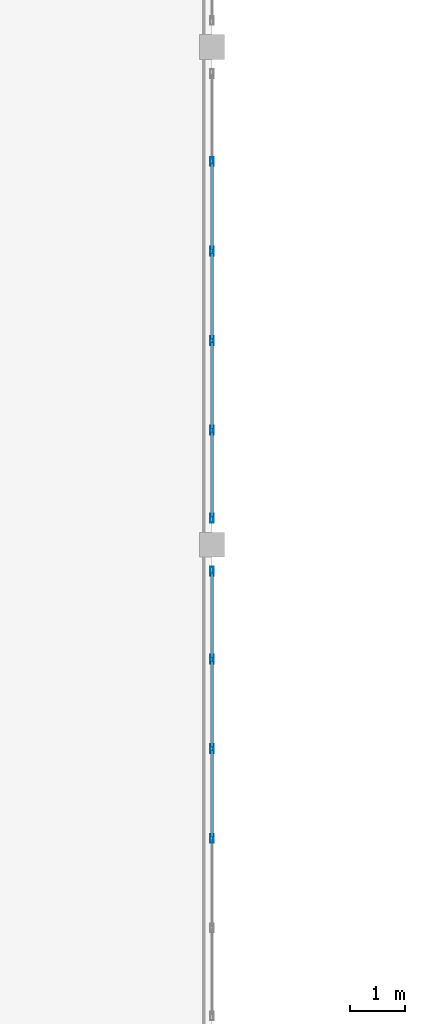
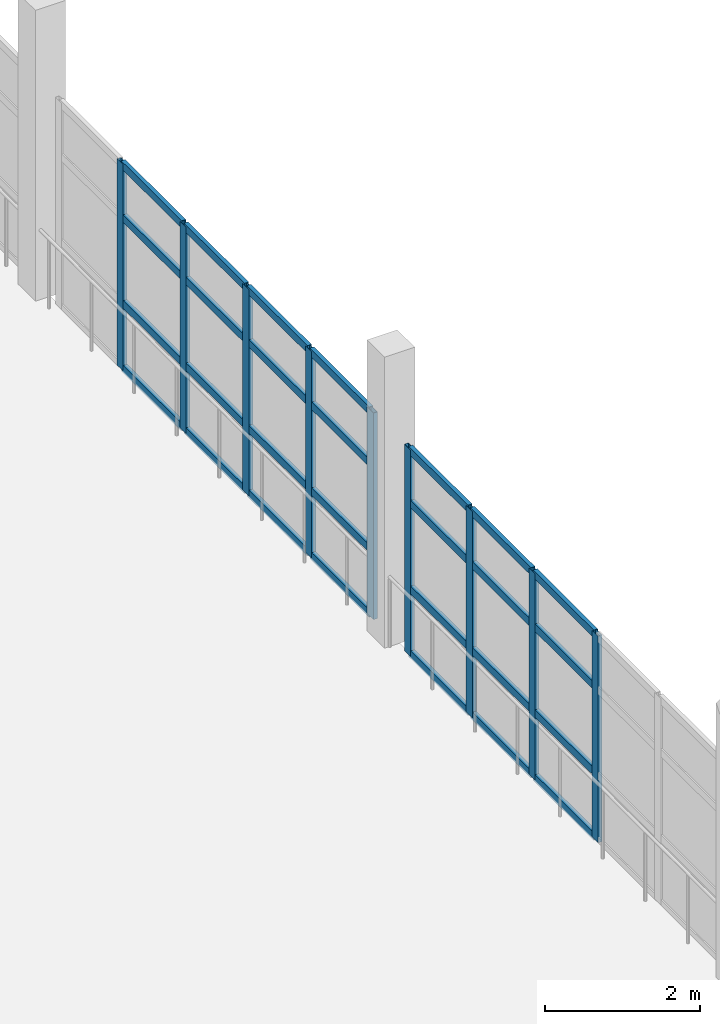
# One storey, part 14 of 80: 37 members, 2 elements without a shape of their own.
"""IFC4 building model written with IfcOpenShell, lengths in metres."""

from ifc_helpers import new_model, si_unit, direction, frame, origin, origin_2d, place, context, subcontext, project, spatial, hollow_rectangle, extrude, material, layer, layer_set, material_profile, profile_set, type_object, element, aggregate, save


model = new_model("IFC4")

# Units and contexts
model_context = context("Model", 3, precision=1e-05, world=origin(), true_north=direction((0.0, 1.0)))
body_context = subcontext(model_context, "Body", "Model", "MODEL_VIEW")
ifc_project = project(units=[si_unit("LENGTHUNIT", "METRE"), si_unit("AREAUNIT", "SQUARE_METRE"), si_unit("VOLUMEUNIT", "CUBIC_METRE"), si_unit("PLANEANGLEUNIT", "RADIAN"), si_unit("MASSUNIT", "GRAM", prefix="KILO")], contexts=[model_context])

# Site, building, storey
site_placement = place(None, origin())
site = spatial("IfcSite", under=ifc_project, at=site_placement, CompositionType="ELEMENT")
building_placement = place(site_placement, origin())
building = spatial("IfcBuilding", under=site, at=building_placement, Name="Ornek Quay Market", CompositionType="ELEMENT")
storey_placement = place(building_placement, frame((0.0, 0.0, 8.39990234375)))
storey = spatial("IfcBuildingStorey", under=building, at=storey_placement, Name="L02", CompositionType="ELEMENT", Elevation=8.39990234375)

# Curtain wall, members
ifc_material_1 = material(Name="Anodised bronze aluminium and triple low-e glass", Category="aluminium")
ifc_layer = layer(ifc_material_1, 0.139892578125, Name="Anodised bronze aluminium and triple low-e glass", Category="aluminium")
ifc_layer_set = layer_set([ifc_layer], Name="Anodised bronze aluminium and triple low-e glass")
curtain_wall_type = type_object("IfcCurtainWallType", Name="CW-GALLERY-INT", PredefinedType="USERDEFINED", material=ifc_layer_set)
curtain_wall_1_placement = place(storey_placement, origin())
curtain_wall_1 = element("IfcCurtainWall", 1, at=curtain_wall_1_placement, inside=storey, type_object=curtain_wall_type, Name="Curtain wall CW-110", ObjectType="CURTAIN WALL", PredefinedType="USERDEFINED")
ifc_material_2 = material(Name="Anodised aluminium 6063-T6", Category="aluminium")
ifc_material_profile_1 = material_profile(ifc_material_2, hollow_rectangle(XDim=0.06005859375, YDim=0.159912109375, WallThickness=0.00390625, at=origin_2d()), Name="CW-MUL-60x160", Category="aluminium")
ifc_profile_set_1 = profile_set([ifc_material_profile_1], Name="Anodised aluminium 6063-T6")
member_type_1 = type_object("IfcMemberType", Name="CW-MUL-60x160", PredefinedType="MULLION", material=ifc_profile_set_1)
member_1_placement = place(storey_placement, frame((72.0, 41.68994140625, 0.0), z_axis=(0.0, 0.0, 1.0), x_axis=(-1.0, 0.0, 0.0)))
member_1 = element("IfcMember", 2, at=member_1_placement, type_object=member_type_1, Name="CW-110 mullion 3", PredefinedType="MULLION", context=body_context, shape_type="SweptSolid", body=[
    extrude(hollow_rectangle(XDim=0.06005859375, YDim=0.159912109375, WallThickness=0.00390625, at=origin_2d()), origin(), (0.0, 0.0, 1.0), 3.25),
])
member_2_placement = place(storey_placement, frame((72.0, 43.31005859375, 0.0), z_axis=(0.0, 0.0, 1.0), x_axis=(-1.0, 0.0, 0.0)))
member_2 = element("IfcMember", 3, at=member_2_placement, type_object=member_type_1, Name="CW-110 mullion 4", PredefinedType="MULLION", context=body_context, shape_type="SweptSolid", body=[
    extrude(hollow_rectangle(XDim=0.06005859375, YDim=0.159912109375, WallThickness=0.00390625, at=origin_2d()), origin(), (0.0, 0.0, 1.0), 3.25),
])
member_3_placement = place(storey_placement, frame((72.0, 44.929931640625, 0.0), z_axis=(0.0, 0.0, 1.0), x_axis=(-1.0, 0.0, 0.0)))
member_3 = element("IfcMember", 4, at=member_3_placement, type_object=member_type_1, Name="CW-110 mullion 5", PredefinedType="MULLION", context=body_context, shape_type="SweptSolid", body=[
    extrude(hollow_rectangle(XDim=0.06005859375, YDim=0.159912109375, WallThickness=0.00390625, at=origin_2d()), origin(), (0.0, 0.0, 1.0), 3.25),
])
member_4_placement = place(storey_placement, frame((72.0, 46.52001953125, 0.0), z_axis=(0.0, 0.0, 1.0), x_axis=(-1.0, 0.0, 0.0)))
member_4 = element("IfcMember", 5, at=member_4_placement, type_object=member_type_1, Name="CW-110 mullion 6", PredefinedType="MULLION", context=body_context, shape_type="SweptSolid", body=[
    extrude(hollow_rectangle(XDim=0.06005859375, YDim=0.159912109375, WallThickness=0.00390625, at=origin_2d()), origin(), (0.0, 0.0, 1.0), 3.25),
])

curtain_wall_2_placement = place(storey_placement, origin())
curtain_wall_2 = element("IfcCurtainWall", 6, at=curtain_wall_2_placement, inside=storey, type_object=curtain_wall_type, Name="Curtain wall CW-111", ObjectType="CURTAIN WALL", PredefinedType="USERDEFINED")
member_5_placement = place(storey_placement, frame((72.0, 47.47998046875, 0.0), z_axis=(0.0, 0.0, 1.0), x_axis=(-1.0, 0.0, 0.0)))
member_5 = element("IfcMember", 7, at=member_5_placement, type_object=member_type_1, Name="CW-111 mullion 1", PredefinedType="MULLION", context=body_context, shape_type="SweptSolid", body=[
    extrude(hollow_rectangle(XDim=0.06005859375, YDim=0.159912109375, WallThickness=0.00390625, at=origin_2d()), origin(), (0.0, 0.0, 1.0), 3.25),
])
member_6_placement = place(storey_placement, frame((72.0, 49.070068359375, 0.0), z_axis=(0.0, 0.0, 1.0), x_axis=(-1.0, 0.0, 0.0)))
member_6 = element("IfcMember", 8, at=member_6_placement, type_object=member_type_1, Name="CW-111 mullion 2", PredefinedType="MULLION", context=body_context, shape_type="SweptSolid", body=[
    extrude(hollow_rectangle(XDim=0.06005859375, YDim=0.159912109375, WallThickness=0.00390625, at=origin_2d()), origin(), (0.0, 0.0, 1.0), 3.25),
])
member_7_placement = place(storey_placement, frame((72.0, 50.68994140625, 0.0), z_axis=(0.0, 0.0, 1.0), x_axis=(-1.0, 0.0, 0.0)))
member_7 = element("IfcMember", 9, at=member_7_placement, type_object=member_type_1, Name="CW-111 mullion 3", PredefinedType="MULLION", context=body_context, shape_type="SweptSolid", body=[
    extrude(hollow_rectangle(XDim=0.06005859375, YDim=0.159912109375, WallThickness=0.00390625, at=origin_2d()), origin(), (0.0, 0.0, 1.0), 3.25),
])
member_8_placement = place(storey_placement, frame((72.0, 52.31005859375, 0.0), z_axis=(0.0, 0.0, 1.0), x_axis=(-1.0, 0.0, 0.0)))
member_8 = element("IfcMember", 10, at=member_8_placement, type_object=member_type_1, Name="CW-111 mullion 4", PredefinedType="MULLION", context=body_context, shape_type="SweptSolid", body=[
    extrude(hollow_rectangle(XDim=0.06005859375, YDim=0.159912109375, WallThickness=0.00390625, at=origin_2d()), origin(), (0.0, 0.0, 1.0), 3.25),
])
member_9_placement = place(storey_placement, frame((72.0, 53.929931640625, 0.0), z_axis=(0.0, 0.0, 1.0), x_axis=(-1.0, 0.0, 0.0)))
member_9 = element("IfcMember", 11, at=member_9_placement, type_object=member_type_1, Name="CW-111 mullion 5", PredefinedType="MULLION", context=body_context, shape_type="SweptSolid", body=[
    extrude(hollow_rectangle(XDim=0.06005859375, YDim=0.159912109375, WallThickness=0.00390625, at=origin_2d()), origin(), (0.0, 0.0, 1.0), 3.25),
])

# Member
ifc_material_profile_2 = material_profile(ifc_material_2, hollow_rectangle(XDim=0.06005859375, YDim=0.1201171875, WallThickness=0.00390625, at=origin_2d()), Name="CW-TRN-60x120", Category="aluminium")
ifc_profile_set_2 = profile_set([ifc_material_profile_2], Name="Anodised aluminium 6063-T6")
member_type_2 = type_object("IfcMemberType", Name="CW-TRN-60x120", PredefinedType="USERDEFINED", material=ifc_profile_set_2)
member_10_placement = place(storey_placement, frame((72.0, 41.719970703125, 0.030029296875), z_axis=(0.0, 1.0, 0.0), x_axis=(-1.0, 0.0, 0.0)))
member_10 = element("IfcMember", 12, at=member_10_placement, type_object=member_type_2, Name="CW-110 transom 3.1", ObjectType="TRANSOM", PredefinedType="USERDEFINED", context=body_context, shape_type="SweptSolid", body=[
    extrude(hollow_rectangle(XDim=0.06005859375, YDim=0.1201171875, WallThickness=0.00390625, at=origin_2d()), origin(), (0.0, 0.0, 1.0), 1.56005859375),
])

member_11_placement = place(storey_placement, frame((72.0, 41.719970703125, 1.050048828125), z_axis=(0.0, 1.0, 0.0), x_axis=(-1.0, 0.0, 0.0)))
member_11 = element("IfcMember", 13, at=member_11_placement, type_object=member_type_2, Name="CW-110 transom 3.2", ObjectType="TRANSOM", PredefinedType="USERDEFINED", context=body_context, shape_type="SweptSolid", body=[
    extrude(hollow_rectangle(XDim=0.06005859375, YDim=0.1201171875, WallThickness=0.00390625, at=origin_2d()), origin(), (0.0, 0.0, 1.0), 1.56005859375),
])

member_12_placement = place(storey_placement, frame((72.0, 41.719970703125, 2.400146484375), z_axis=(0.0, 1.0, 0.0), x_axis=(-1.0, 0.0, 0.0)))
member_12 = element("IfcMember", 14, at=member_12_placement, type_object=member_type_2, Name="CW-110 transom 3.3", ObjectType="TRANSOM", PredefinedType="USERDEFINED", context=body_context, shape_type="SweptSolid", body=[
    extrude(hollow_rectangle(XDim=0.06005859375, YDim=0.1201171875, WallThickness=0.00390625, at=origin_2d()), origin(), (0.0, 0.0, 1.0), 1.56005859375),
])

member_13_placement = place(storey_placement, frame((72.0, 41.719970703125, 3.22021484375), z_axis=(0.0, 1.0, 0.0), x_axis=(-1.0, 0.0, 0.0)))
member_13 = element("IfcMember", 15, at=member_13_placement, type_object=member_type_2, Name="CW-110 transom 3.4", ObjectType="TRANSOM", PredefinedType="USERDEFINED", context=body_context, shape_type="SweptSolid", body=[
    extrude(hollow_rectangle(XDim=0.06005859375, YDim=0.1201171875, WallThickness=0.00390625, at=origin_2d()), origin(), (0.0, 0.0, 1.0), 1.56005859375),
])

member_14_placement = place(storey_placement, frame((72.0, 43.340087890625, 0.030029296875), z_axis=(0.0, 1.0, 0.0), x_axis=(-1.0, 0.0, 0.0)))
member_14 = element("IfcMember", 16, at=member_14_placement, type_object=member_type_2, Name="CW-110 transom 4.1", ObjectType="TRANSOM", PredefinedType="USERDEFINED", context=body_context, shape_type="SweptSolid", body=[
    extrude(hollow_rectangle(XDim=0.06005859375, YDim=0.1201171875, WallThickness=0.00390625, at=origin_2d()), origin(), (0.0, 0.0, 1.0), 1.559814453125),
])

member_15_placement = place(storey_placement, frame((72.0, 43.340087890625, 1.050048828125), z_axis=(0.0, 1.0, 0.0), x_axis=(-1.0, 0.0, 0.0)))
member_15 = element("IfcMember", 17, at=member_15_placement, type_object=member_type_2, Name="CW-110 transom 4.2", ObjectType="TRANSOM", PredefinedType="USERDEFINED", context=body_context, shape_type="SweptSolid", body=[
    extrude(hollow_rectangle(XDim=0.06005859375, YDim=0.1201171875, WallThickness=0.00390625, at=origin_2d()), origin(), (0.0, 0.0, 1.0), 1.559814453125),
])

member_16_placement = place(storey_placement, frame((72.0, 43.340087890625, 2.400146484375), z_axis=(0.0, 1.0, 0.0), x_axis=(-1.0, 0.0, 0.0)))
member_16 = element("IfcMember", 18, at=member_16_placement, type_object=member_type_2, Name="CW-110 transom 4.3", ObjectType="TRANSOM", PredefinedType="USERDEFINED", context=body_context, shape_type="SweptSolid", body=[
    extrude(hollow_rectangle(XDim=0.06005859375, YDim=0.1201171875, WallThickness=0.00390625, at=origin_2d()), origin(), (0.0, 0.0, 1.0), 1.559814453125),
])

member_17_placement = place(storey_placement, frame((72.0, 43.340087890625, 3.22021484375), z_axis=(0.0, 1.0, 0.0), x_axis=(-1.0, 0.0, 0.0)))
member_17 = element("IfcMember", 19, at=member_17_placement, type_object=member_type_2, Name="CW-110 transom 4.4", ObjectType="TRANSOM", PredefinedType="USERDEFINED", context=body_context, shape_type="SweptSolid", body=[
    extrude(hollow_rectangle(XDim=0.06005859375, YDim=0.1201171875, WallThickness=0.00390625, at=origin_2d()), origin(), (0.0, 0.0, 1.0), 1.559814453125),
])

member_18_placement = place(storey_placement, frame((72.0, 44.9599609375, 0.030029296875), z_axis=(0.0, 1.0, 0.0), x_axis=(-1.0, 0.0, 0.0)))
member_18 = element("IfcMember", 20, at=member_18_placement, type_object=member_type_2, Name="CW-110 transom 5.1", ObjectType="TRANSOM", PredefinedType="USERDEFINED", context=body_context, shape_type="SweptSolid", body=[
    extrude(hollow_rectangle(XDim=0.06005859375, YDim=0.1201171875, WallThickness=0.00390625, at=origin_2d()), origin(), (0.0, 0.0, 1.0), 1.530029296875),
])

member_19_placement = place(storey_placement, frame((72.0, 44.9599609375, 1.050048828125), z_axis=(0.0, 1.0, 0.0), x_axis=(-1.0, 0.0, 0.0)))
member_19 = element("IfcMember", 21, at=member_19_placement, type_object=member_type_2, Name="CW-110 transom 5.2", ObjectType="TRANSOM", PredefinedType="USERDEFINED", context=body_context, shape_type="SweptSolid", body=[
    extrude(hollow_rectangle(XDim=0.06005859375, YDim=0.1201171875, WallThickness=0.00390625, at=origin_2d()), origin(), (0.0, 0.0, 1.0), 1.530029296875),
])

member_20_placement = place(storey_placement, frame((72.0, 44.9599609375, 2.400146484375), z_axis=(0.0, 1.0, 0.0), x_axis=(-1.0, 0.0, 0.0)))
member_20 = element("IfcMember", 22, at=member_20_placement, type_object=member_type_2, Name="CW-110 transom 5.3", ObjectType="TRANSOM", PredefinedType="USERDEFINED", context=body_context, shape_type="SweptSolid", body=[
    extrude(hollow_rectangle(XDim=0.06005859375, YDim=0.1201171875, WallThickness=0.00390625, at=origin_2d()), origin(), (0.0, 0.0, 1.0), 1.530029296875),
])

member_21_placement = place(storey_placement, frame((72.0, 44.9599609375, 3.22021484375), z_axis=(0.0, 1.0, 0.0), x_axis=(-1.0, 0.0, 0.0)))
member_21 = element("IfcMember", 23, at=member_21_placement, type_object=member_type_2, Name="CW-110 transom 5.4", ObjectType="TRANSOM", PredefinedType="USERDEFINED", context=body_context, shape_type="SweptSolid", body=[
    extrude(hollow_rectangle(XDim=0.06005859375, YDim=0.1201171875, WallThickness=0.00390625, at=origin_2d()), origin(), (0.0, 0.0, 1.0), 1.530029296875),
])

aggregate(curtain_wall_1, [member_1, member_2, member_3, member_4, member_10, member_11, member_12, member_13, member_14, member_15, member_16, member_17, member_18, member_19, member_20, member_21])

member_22_placement = place(storey_placement, frame((72.0, 47.510009765625, 0.030029296875), z_axis=(0.0, 1.0, 0.0), x_axis=(-1.0, 0.0, 0.0)))
member_22 = element("IfcMember", 24, at=member_22_placement, type_object=member_type_2, Name="CW-111 transom 1.1", ObjectType="TRANSOM", PredefinedType="USERDEFINED", context=body_context, shape_type="SweptSolid", body=[
    extrude(hollow_rectangle(XDim=0.06005859375, YDim=0.1201171875, WallThickness=0.00390625, at=origin_2d()), origin(), (0.0, 0.0, 1.0), 1.530029296875),
])

member_23_placement = place(storey_placement, frame((72.0, 47.510009765625, 1.050048828125), z_axis=(0.0, 1.0, 0.0), x_axis=(-1.0, 0.0, 0.0)))
member_23 = element("IfcMember", 25, at=member_23_placement, type_object=member_type_2, Name="CW-111 transom 1.2", ObjectType="TRANSOM", PredefinedType="USERDEFINED", context=body_context, shape_type="SweptSolid", body=[
    extrude(hollow_rectangle(XDim=0.06005859375, YDim=0.1201171875, WallThickness=0.00390625, at=origin_2d()), origin(), (0.0, 0.0, 1.0), 1.530029296875),
])

member_24_placement = place(storey_placement, frame((72.0, 47.510009765625, 2.400146484375), z_axis=(0.0, 1.0, 0.0), x_axis=(-1.0, 0.0, 0.0)))
member_24 = element("IfcMember", 26, at=member_24_placement, type_object=member_type_2, Name="CW-111 transom 1.3", ObjectType="TRANSOM", PredefinedType="USERDEFINED", context=body_context, shape_type="SweptSolid", body=[
    extrude(hollow_rectangle(XDim=0.06005859375, YDim=0.1201171875, WallThickness=0.00390625, at=origin_2d()), origin(), (0.0, 0.0, 1.0), 1.530029296875),
])

member_25_placement = place(storey_placement, frame((72.0, 47.510009765625, 3.22021484375), z_axis=(0.0, 1.0, 0.0), x_axis=(-1.0, 0.0, 0.0)))
member_25 = element("IfcMember", 27, at=member_25_placement, type_object=member_type_2, Name="CW-111 transom 1.4", ObjectType="TRANSOM", PredefinedType="USERDEFINED", context=body_context, shape_type="SweptSolid", body=[
    extrude(hollow_rectangle(XDim=0.06005859375, YDim=0.1201171875, WallThickness=0.00390625, at=origin_2d()), origin(), (0.0, 0.0, 1.0), 1.530029296875),
])

member_26_placement = place(storey_placement, frame((72.0, 49.10009765625, 0.030029296875), z_axis=(0.0, 1.0, 0.0), x_axis=(-1.0, 0.0, 0.0)))
member_26 = element("IfcMember", 28, at=member_26_placement, type_object=member_type_2, Name="CW-111 transom 2.1", ObjectType="TRANSOM", PredefinedType="USERDEFINED", context=body_context, shape_type="SweptSolid", body=[
    extrude(hollow_rectangle(XDim=0.06005859375, YDim=0.1201171875, WallThickness=0.00390625, at=origin_2d()), origin(), (0.0, 0.0, 1.0), 1.559814453125),
])

member_27_placement = place(storey_placement, frame((72.0, 49.10009765625, 1.050048828125), z_axis=(0.0, 1.0, 0.0), x_axis=(-1.0, 0.0, 0.0)))
member_27 = element("IfcMember", 29, at=member_27_placement, type_object=member_type_2, Name="CW-111 transom 2.2", ObjectType="TRANSOM", PredefinedType="USERDEFINED", context=body_context, shape_type="SweptSolid", body=[
    extrude(hollow_rectangle(XDim=0.06005859375, YDim=0.1201171875, WallThickness=0.00390625, at=origin_2d()), origin(), (0.0, 0.0, 1.0), 1.559814453125),
])

member_28_placement = place(storey_placement, frame((72.0, 49.10009765625, 2.400146484375), z_axis=(0.0, 1.0, 0.0), x_axis=(-1.0, 0.0, 0.0)))
member_28 = element("IfcMember", 30, at=member_28_placement, type_object=member_type_2, Name="CW-111 transom 2.3", ObjectType="TRANSOM", PredefinedType="USERDEFINED", context=body_context, shape_type="SweptSolid", body=[
    extrude(hollow_rectangle(XDim=0.06005859375, YDim=0.1201171875, WallThickness=0.00390625, at=origin_2d()), origin(), (0.0, 0.0, 1.0), 1.559814453125),
])

member_29_placement = place(storey_placement, frame((72.0, 49.10009765625, 3.22021484375), z_axis=(0.0, 1.0, 0.0), x_axis=(-1.0, 0.0, 0.0)))
member_29 = element("IfcMember", 31, at=member_29_placement, type_object=member_type_2, Name="CW-111 transom 2.4", ObjectType="TRANSOM", PredefinedType="USERDEFINED", context=body_context, shape_type="SweptSolid", body=[
    extrude(hollow_rectangle(XDim=0.06005859375, YDim=0.1201171875, WallThickness=0.00390625, at=origin_2d()), origin(), (0.0, 0.0, 1.0), 1.559814453125),
])

member_30_placement = place(storey_placement, frame((72.0, 50.719970703125, 0.030029296875), z_axis=(0.0, 1.0, 0.0), x_axis=(-1.0, 0.0, 0.0)))
member_30 = element("IfcMember", 32, at=member_30_placement, type_object=member_type_2, Name="CW-111 transom 3.1", ObjectType="TRANSOM", PredefinedType="USERDEFINED", context=body_context, shape_type="SweptSolid", body=[
    extrude(hollow_rectangle(XDim=0.06005859375, YDim=0.1201171875, WallThickness=0.00390625, at=origin_2d()), origin(), (0.0, 0.0, 1.0), 1.56005859375),
])

member_31_placement = place(storey_placement, frame((72.0, 50.719970703125, 1.050048828125), z_axis=(0.0, 1.0, 0.0), x_axis=(-1.0, 0.0, 0.0)))
member_31 = element("IfcMember", 33, at=member_31_placement, type_object=member_type_2, Name="CW-111 transom 3.2", ObjectType="TRANSOM", PredefinedType="USERDEFINED", context=body_context, shape_type="SweptSolid", body=[
    extrude(hollow_rectangle(XDim=0.06005859375, YDim=0.1201171875, WallThickness=0.00390625, at=origin_2d()), origin(), (0.0, 0.0, 1.0), 1.56005859375),
])

member_32_placement = place(storey_placement, frame((72.0, 50.719970703125, 2.400146484375), z_axis=(0.0, 1.0, 0.0), x_axis=(-1.0, 0.0, 0.0)))
member_32 = element("IfcMember", 34, at=member_32_placement, type_object=member_type_2, Name="CW-111 transom 3.3", ObjectType="TRANSOM", PredefinedType="USERDEFINED", context=body_context, shape_type="SweptSolid", body=[
    extrude(hollow_rectangle(XDim=0.06005859375, YDim=0.1201171875, WallThickness=0.00390625, at=origin_2d()), origin(), (0.0, 0.0, 1.0), 1.56005859375),
])

member_33_placement = place(storey_placement, frame((72.0, 50.719970703125, 3.22021484375), z_axis=(0.0, 1.0, 0.0), x_axis=(-1.0, 0.0, 0.0)))
member_33 = element("IfcMember", 35, at=member_33_placement, type_object=member_type_2, Name="CW-111 transom 3.4", ObjectType="TRANSOM", PredefinedType="USERDEFINED", context=body_context, shape_type="SweptSolid", body=[
    extrude(hollow_rectangle(XDim=0.06005859375, YDim=0.1201171875, WallThickness=0.00390625, at=origin_2d()), origin(), (0.0, 0.0, 1.0), 1.56005859375),
])

member_34_placement = place(storey_placement, frame((72.0, 52.340087890625, 0.030029296875), z_axis=(0.0, 1.0, 0.0), x_axis=(-1.0, 0.0, 0.0)))
member_34 = element("IfcMember", 36, at=member_34_placement, type_object=member_type_2, Name="CW-111 transom 4.1", ObjectType="TRANSOM", PredefinedType="USERDEFINED", context=body_context, shape_type="SweptSolid", body=[
    extrude(hollow_rectangle(XDim=0.06005859375, YDim=0.1201171875, WallThickness=0.00390625, at=origin_2d()), origin(), (0.0, 0.0, 1.0), 1.559814453125),
])

member_35_placement = place(storey_placement, frame((72.0, 52.340087890625, 1.050048828125), z_axis=(0.0, 1.0, 0.0), x_axis=(-1.0, 0.0, 0.0)))
member_35 = element("IfcMember", 37, at=member_35_placement, type_object=member_type_2, Name="CW-111 transom 4.2", ObjectType="TRANSOM", PredefinedType="USERDEFINED", context=body_context, shape_type="SweptSolid", body=[
    extrude(hollow_rectangle(XDim=0.06005859375, YDim=0.1201171875, WallThickness=0.00390625, at=origin_2d()), origin(), (0.0, 0.0, 1.0), 1.559814453125),
])

member_36_placement = place(storey_placement, frame((72.0, 52.340087890625, 2.400146484375), z_axis=(0.0, 1.0, 0.0), x_axis=(-1.0, 0.0, 0.0)))
member_36 = element("IfcMember", 38, at=member_36_placement, type_object=member_type_2, Name="CW-111 transom 4.3", ObjectType="TRANSOM", PredefinedType="USERDEFINED", context=body_context, shape_type="SweptSolid", body=[
    extrude(hollow_rectangle(XDim=0.06005859375, YDim=0.1201171875, WallThickness=0.00390625, at=origin_2d()), origin(), (0.0, 0.0, 1.0), 1.559814453125),
])

member_37_placement = place(storey_placement, frame((72.0, 52.340087890625, 3.22021484375), z_axis=(0.0, 1.0, 0.0), x_axis=(-1.0, 0.0, 0.0)))
member_37 = element("IfcMember", 39, at=member_37_placement, type_object=member_type_2, Name="CW-111 transom 4.4", ObjectType="TRANSOM", PredefinedType="USERDEFINED", context=body_context, shape_type="SweptSolid", body=[
    extrude(hollow_rectangle(XDim=0.06005859375, YDim=0.1201171875, WallThickness=0.00390625, at=origin_2d()), origin(), (0.0, 0.0, 1.0), 1.559814453125),
])

aggregate(curtain_wall_2, [member_5, member_6, member_7, member_8, member_9, member_22, member_23, member_24, member_25, member_26, member_27, member_28, member_29, member_30, member_31, member_32, member_33, member_34, member_35, member_36, member_37])

save(model, "model.ifc")
